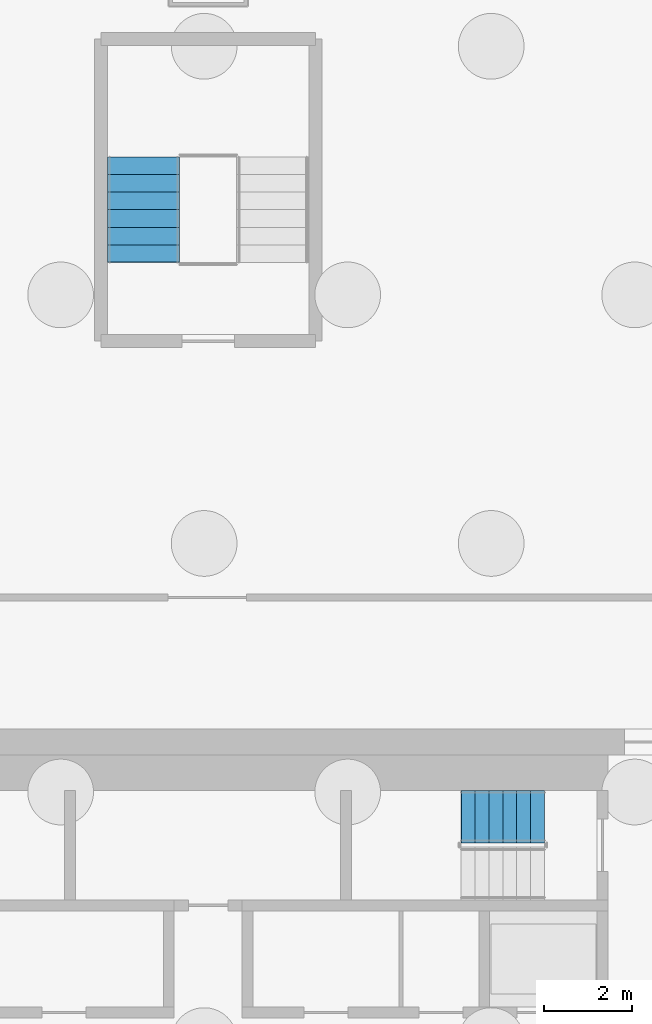
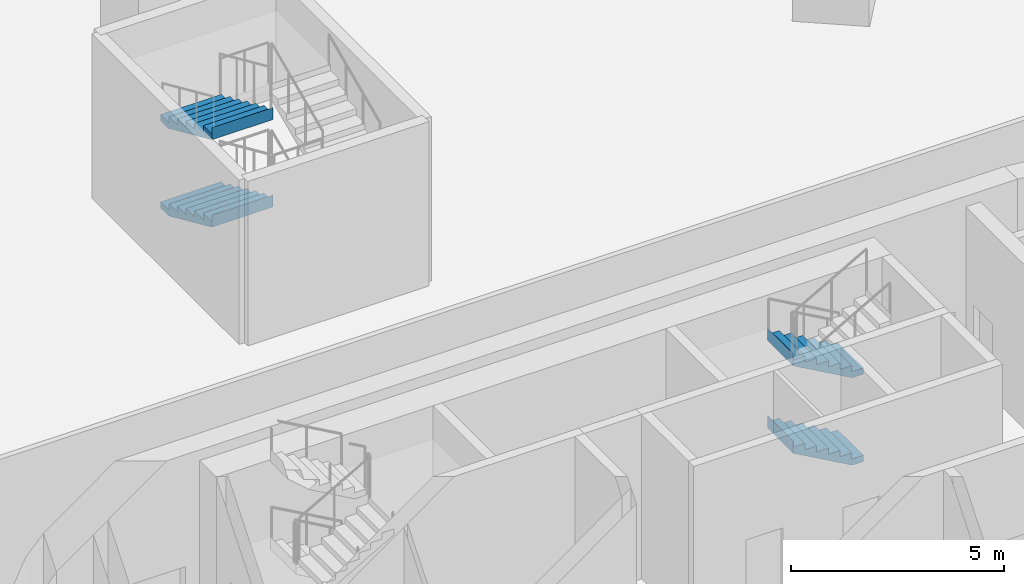
# One storey, part 15 of 19: 4 stair flights, 2 elements without a shape of their own.
"""IFC4 building model written with IfcOpenShell, lengths in metres."""

from ifc_helpers import new_model, si_unit, direction, frame, origin, place, context, subcontext, project, spatial, triangles, material, type_object, element, aggregate, save


model = new_model("IFC4")

# Units and contexts
model_context = context("Model", 3, precision=1e-05, world=origin(), true_north=direction((0.0, 1.0)))
body_context = subcontext(model_context, "Body", "Model", "MODEL_VIEW")
ifc_project = project(units=[si_unit("LENGTHUNIT", "METRE"), si_unit("AREAUNIT", "SQUARE_METRE"), si_unit("VOLUMEUNIT", "CUBIC_METRE"), si_unit("PLANEANGLEUNIT", "RADIAN"), si_unit("MASSUNIT", "GRAM", prefix="KILO")], contexts=[model_context])

# Site, building, storey
site_placement = place(None, origin())
site = spatial("IfcSite", under=ifc_project, at=site_placement, CompositionType="ELEMENT")
building_placement = place(site_placement, origin())
building = spatial("IfcBuilding", under=site, at=building_placement, Name="Sahrelin Media Tower", CompositionType="ELEMENT")
storey_placement = place(building_placement, frame((0.0, 0.0, -5.0)))
storey = spatial("IfcBuildingStorey", under=building, at=storey_placement, Name="B1", CompositionType="ELEMENT", Elevation=-5.0)

# Stair, stair flights
ifc_material = material(Name="Concrete C40/50", Category="concrete")
stair_type_1 = type_object("IfcStairType", Name="Exit stair 1200", PredefinedType="HALF_TURN_STAIR", material=ifc_material)
placement = place(storey_placement, origin())
stair_1 = element("IfcStair", 1, at=placement, inside=storey, type_object=stair_type_1, Name="B1 Exit stair ST3", PredefinedType="HALF_TURN_STAIR")
stair_flight_type_1 = type_object("IfcStairFlightType", Name="Stair flight 1200", PredefinedType="STRAIGHT", material=ifc_material)
stair_flight_1_placement = place(storey_placement, frame((7.675048828125, 6.0, 0.0), z_axis=(0.0, 0.0, 1.0), x_axis=(-1.0, 0.0, 0.0)))
stair_flight_1 = element("IfcStairFlight", 2, at=stair_flight_1_placement, type_object=stair_flight_type_1, Name="ST3 flight 1", NumberOfRisers=7, NumberOfTreads=6, PredefinedType="STRAIGHT", RiserHeight=0.178571429, TreadLength=0.316666667, context=body_context, shape_type="Tessellation", body=[
    triangles([(0.30517578125, 0.60009765625, 0.0), (0.30517578125, 0.300048828125, 0.0), (0.30517578125, 0.0, 0.0), (0.30517578125, -0.300048828125, 0.0), (0.30517578125, -0.60009765625, 0.0), (1.89990234375, 0.60009765625, 0.8994140625), (1.89990234375, 0.300048828125, 0.8994140625), (1.89990234375, 0.0, 0.8994140625), (1.89990234375, -0.300048828125, 0.8994140625), (1.89990234375, -0.60009765625, 0.8994140625), (1.89990234375, 0.60009765625, 1.25), (1.89990234375, 0.300048828125, 1.25), (1.89990234375, 0.0, 1.25), (1.89990234375, -0.300048828125, 1.25), (1.89990234375, -0.60009765625, 1.25), (1.89794921875, 0.60009765625, 1.25), (1.89794921875, 0.300048828125, 1.25), (1.89794921875, 0.0, 1.25), (1.89794921875, -0.300048828125, 1.25), (1.89794921875, -0.60009765625, 1.25), (1.89794921875, 0.60009765625, 1.071533203125), (1.89794921875, 0.300048828125, 1.071533203125), (1.89794921875, 0.0, 1.071533203125), (1.89794921875, -0.300048828125, 1.071533203125), (1.89794921875, -0.60009765625, 1.071533203125), (1.583251953125, 0.60009765625, 1.071533203125), (1.583251953125, 0.300048828125, 1.071533203125), (1.583251953125, 0.0, 1.071533203125), (1.583251953125, -0.300048828125, 1.071533203125), (1.583251953125, -0.60009765625, 1.071533203125), (1.583251953125, 0.60009765625, 0.892822265625), (1.583251953125, 0.300048828125, 0.892822265625), (1.583251953125, 0.0, 0.892822265625), (1.583251953125, -0.300048828125, 0.892822265625), (1.583251953125, -0.60009765625, 0.892822265625), (1.2666015625, 0.60009765625, 0.892822265625), (1.2666015625, 0.300048828125, 0.892822265625), (1.2666015625, 0.0, 0.892822265625), (1.2666015625, -0.300048828125, 0.892822265625), (1.2666015625, -0.60009765625, 0.892822265625), (1.2666015625, 0.60009765625, 0.71435546875), (1.2666015625, 0.300048828125, 0.71435546875), (1.2666015625, 0.0, 0.71435546875), (1.2666015625, -0.300048828125, 0.71435546875), (1.2666015625, -0.60009765625, 0.71435546875), (0.949951171875, 0.60009765625, 0.71435546875), (0.949951171875, 0.300048828125, 0.71435546875), (0.949951171875, 0.0, 0.71435546875), (0.949951171875, -0.300048828125, 0.71435546875), (0.949951171875, -0.60009765625, 0.71435546875), (0.949951171875, 0.60009765625, 0.53564453125), (0.949951171875, 0.300048828125, 0.53564453125), (0.949951171875, 0.0, 0.53564453125), (0.949951171875, -0.300048828125, 0.53564453125), (0.949951171875, -0.60009765625, 0.53564453125), (0.63330078125, 0.60009765625, 0.53564453125), (0.63330078125, 0.300048828125, 0.53564453125), (0.63330078125, 0.0, 0.53564453125), (0.63330078125, -0.300048828125, 0.53564453125), (0.63330078125, -0.60009765625, 0.53564453125), (0.63330078125, 0.60009765625, 0.357177734375), (0.63330078125, 0.300048828125, 0.357177734375), (0.63330078125, 0.0, 0.357177734375), (0.63330078125, -0.300048828125, 0.357177734375), (0.63330078125, -0.60009765625, 0.357177734375), (0.316650390625, 0.60009765625, 0.357177734375), (0.316650390625, 0.300048828125, 0.357177734375), (0.316650390625, 0.0, 0.357177734375), (0.316650390625, -0.300048828125, 0.357177734375), (0.316650390625, -0.60009765625, 0.357177734375), (0.316650390625, 0.60009765625, 0.178466796875), (0.316650390625, 0.300048828125, 0.178466796875), (0.316650390625, 0.0, 0.178466796875), (0.316650390625, -0.300048828125, 0.178466796875), (0.316650390625, -0.60009765625, 0.178466796875), (0.0, 0.60009765625, 0.178466796875), (0.0, 0.300048828125, 0.178466796875), (0.0, 0.0, 0.178466796875), (0.0, -0.300048828125, 0.178466796875), (0.0, -0.60009765625, 0.178466796875), (0.0, 0.60009765625, 0.0), (0.0, 0.300048828125, 0.0), (0.0, 0.0, 0.0), (0.0, -0.300048828125, 0.0), (0.0, -0.60009765625, 0.0)], [[1, 6, 7], [1, 7, 2], [2, 7, 8], [2, 8, 3], [3, 8, 9], [3, 9, 4], [4, 9, 10], [4, 10, 5], [6, 11, 12], [6, 12, 7], [7, 12, 13], [7, 13, 8], [8, 13, 14], [8, 14, 9], [9, 14, 15], [9, 15, 10], [11, 16, 17], [11, 17, 12], [12, 17, 18], [12, 18, 13], [13, 18, 19], [13, 19, 14], [14, 19, 20], [14, 20, 15], [16, 21, 22], [16, 22, 17], [17, 22, 23], [17, 23, 18], [18, 23, 24], [18, 24, 19], [19, 24, 25], [19, 25, 20], [21, 26, 27], [21, 27, 22], [22, 27, 28], [22, 28, 23], [23, 28, 29], [23, 29, 24], [24, 29, 30], [24, 30, 25], [26, 31, 32], [26, 32, 27], [27, 32, 33], [27, 33, 28], [28, 33, 34], [28, 34, 29], [29, 34, 35], [29, 35, 30], [31, 36, 37], [31, 37, 32], [32, 37, 38], [32, 38, 33], [33, 38, 39], [33, 39, 34], [34, 39, 40], [34, 40, 35], [36, 41, 42], [36, 42, 37], [37, 42, 43], [37, 43, 38], [38, 43, 44], [38, 44, 39], [39, 44, 45], [39, 45, 40], [41, 46, 47], [41, 47, 42], [42, 47, 48], [42, 48, 43], [43, 48, 49], [43, 49, 44], [44, 49, 50], [44, 50, 45], [46, 51, 52], [46, 52, 47], [47, 52, 53], [47, 53, 48], [48, 53, 54], [48, 54, 49], [49, 54, 55], [49, 55, 50], [51, 56, 57], [51, 57, 52], [52, 57, 58], [52, 58, 53], [53, 58, 59], [53, 59, 54], [54, 59, 60], [54, 60, 55], [56, 61, 62], [56, 62, 57], [57, 62, 63], [57, 63, 58], [58, 63, 64], [58, 64, 59], [59, 64, 65], [59, 65, 60], [61, 66, 67], [61, 67, 62], [62, 67, 68], [62, 68, 63], [63, 68, 69], [63, 69, 64], [64, 69, 70], [64, 70, 65], [66, 71, 72], [66, 72, 67], [67, 72, 73], [67, 73, 68], [68, 73, 74], [68, 74, 69], [69, 74, 75], [69, 75, 70], [71, 76, 77], [71, 77, 72], [72, 77, 78], [72, 78, 73], [73, 78, 79], [73, 79, 74], [74, 79, 80], [74, 80, 75], [76, 81, 82], [76, 82, 77], [77, 82, 83], [77, 83, 78], [78, 83, 84], [78, 84, 79], [79, 84, 85], [79, 85, 80], [81, 1, 2], [81, 2, 82], [82, 2, 3], [82, 3, 83], [83, 3, 4], [83, 4, 84], [84, 4, 5], [84, 5, 85], [5, 80, 85], [1, 81, 76], [75, 65, 70], [71, 66, 61], [65, 55, 60], [61, 56, 51], [55, 45, 50], [51, 46, 41], [45, 35, 40], [41, 36, 31], [10, 25, 30], [6, 26, 21], [25, 15, 20], [21, 16, 11], [5, 75, 80], [1, 76, 71], [25, 10, 15], [21, 11, 6], [65, 75, 5], [61, 1, 71], [30, 35, 10], [26, 6, 31], [55, 65, 5], [51, 1, 61], [45, 10, 35], [41, 31, 6], [5, 10, 55], [1, 51, 6], [55, 10, 45], [51, 41, 6]], closed=True),
])
stair_flight_2_placement = place(storey_placement, frame((7.675048828125, 6.0, 2.5), z_axis=(0.0, 0.0, 1.0), x_axis=(-1.0, 0.0, 0.0)))
stair_flight_2 = element("IfcStairFlight", 3, at=stair_flight_2_placement, type_object=stair_flight_type_1, Name="ST3 flight 3", NumberOfRisers=7, NumberOfTreads=6, PredefinedType="STRAIGHT", RiserHeight=0.178571429, TreadLength=0.316666667, context=body_context, shape_type="Tessellation", body=[
    triangles([(0.30517578125, 0.60009765625, 0.0), (0.30517578125, 0.300048828125, 0.0), (0.30517578125, 0.0, 0.0), (0.30517578125, -0.300048828125, 0.0), (0.30517578125, -0.60009765625, 0.0), (1.89990234375, 0.60009765625, 0.8994140625), (1.89990234375, 0.300048828125, 0.8994140625), (1.89990234375, 0.0, 0.8994140625), (1.89990234375, -0.300048828125, 0.8994140625), (1.89990234375, -0.60009765625, 0.8994140625), (1.89990234375, 0.60009765625, 1.25), (1.89990234375, 0.300048828125, 1.25), (1.89990234375, 0.0, 1.25), (1.89990234375, -0.300048828125, 1.25), (1.89990234375, -0.60009765625, 1.25), (1.89794921875, 0.60009765625, 1.25), (1.89794921875, 0.300048828125, 1.25), (1.89794921875, 0.0, 1.25), (1.89794921875, -0.300048828125, 1.25), (1.89794921875, -0.60009765625, 1.25), (1.89794921875, 0.60009765625, 1.071533203125), (1.89794921875, 0.300048828125, 1.071533203125), (1.89794921875, 0.0, 1.071533203125), (1.89794921875, -0.300048828125, 1.071533203125), (1.89794921875, -0.60009765625, 1.071533203125), (1.583251953125, 0.60009765625, 1.071533203125), (1.583251953125, 0.300048828125, 1.071533203125), (1.583251953125, 0.0, 1.071533203125), (1.583251953125, -0.300048828125, 1.071533203125), (1.583251953125, -0.60009765625, 1.071533203125), (1.583251953125, 0.60009765625, 0.892822265625), (1.583251953125, 0.300048828125, 0.892822265625), (1.583251953125, 0.0, 0.892822265625), (1.583251953125, -0.300048828125, 0.892822265625), (1.583251953125, -0.60009765625, 0.892822265625), (1.2666015625, 0.60009765625, 0.892822265625), (1.2666015625, 0.300048828125, 0.892822265625), (1.2666015625, 0.0, 0.892822265625), (1.2666015625, -0.300048828125, 0.892822265625), (1.2666015625, -0.60009765625, 0.892822265625), (1.2666015625, 0.60009765625, 0.71435546875), (1.2666015625, 0.300048828125, 0.71435546875), (1.2666015625, 0.0, 0.71435546875), (1.2666015625, -0.300048828125, 0.71435546875), (1.2666015625, -0.60009765625, 0.71435546875), (0.949951171875, 0.60009765625, 0.71435546875), (0.949951171875, 0.300048828125, 0.71435546875), (0.949951171875, 0.0, 0.71435546875), (0.949951171875, -0.300048828125, 0.71435546875), (0.949951171875, -0.60009765625, 0.71435546875), (0.949951171875, 0.60009765625, 0.53564453125), (0.949951171875, 0.300048828125, 0.53564453125), (0.949951171875, 0.0, 0.53564453125), (0.949951171875, -0.300048828125, 0.53564453125), (0.949951171875, -0.60009765625, 0.53564453125), (0.63330078125, 0.60009765625, 0.53564453125), (0.63330078125, 0.300048828125, 0.53564453125), (0.63330078125, 0.0, 0.53564453125), (0.63330078125, -0.300048828125, 0.53564453125), (0.63330078125, -0.60009765625, 0.53564453125), (0.63330078125, 0.60009765625, 0.357177734375), (0.63330078125, 0.300048828125, 0.357177734375), (0.63330078125, 0.0, 0.357177734375), (0.63330078125, -0.300048828125, 0.357177734375), (0.63330078125, -0.60009765625, 0.357177734375), (0.316650390625, 0.60009765625, 0.357177734375), (0.316650390625, 0.300048828125, 0.357177734375), (0.316650390625, 0.0, 0.357177734375), (0.316650390625, -0.300048828125, 0.357177734375), (0.316650390625, -0.60009765625, 0.357177734375), (0.316650390625, 0.60009765625, 0.178466796875), (0.316650390625, 0.300048828125, 0.178466796875), (0.316650390625, 0.0, 0.178466796875), (0.316650390625, -0.300048828125, 0.178466796875), (0.316650390625, -0.60009765625, 0.178466796875), (0.0, 0.60009765625, 0.178466796875), (0.0, 0.300048828125, 0.178466796875), (0.0, 0.0, 0.178466796875), (0.0, -0.300048828125, 0.178466796875), (0.0, -0.60009765625, 0.178466796875), (0.0, 0.60009765625, 0.0), (0.0, 0.300048828125, 0.0), (0.0, 0.0, 0.0), (0.0, -0.300048828125, 0.0), (0.0, -0.60009765625, 0.0)], [[1, 6, 7], [1, 7, 2], [2, 7, 8], [2, 8, 3], [3, 8, 9], [3, 9, 4], [4, 9, 10], [4, 10, 5], [6, 11, 12], [6, 12, 7], [7, 12, 13], [7, 13, 8], [8, 13, 14], [8, 14, 9], [9, 14, 15], [9, 15, 10], [11, 16, 17], [11, 17, 12], [12, 17, 18], [12, 18, 13], [13, 18, 19], [13, 19, 14], [14, 19, 20], [14, 20, 15], [16, 21, 22], [16, 22, 17], [17, 22, 23], [17, 23, 18], [18, 23, 24], [18, 24, 19], [19, 24, 25], [19, 25, 20], [21, 26, 27], [21, 27, 22], [22, 27, 28], [22, 28, 23], [23, 28, 29], [23, 29, 24], [24, 29, 30], [24, 30, 25], [26, 31, 32], [26, 32, 27], [27, 32, 33], [27, 33, 28], [28, 33, 34], [28, 34, 29], [29, 34, 35], [29, 35, 30], [31, 36, 37], [31, 37, 32], [32, 37, 38], [32, 38, 33], [33, 38, 39], [33, 39, 34], [34, 39, 40], [34, 40, 35], [36, 41, 42], [36, 42, 37], [37, 42, 43], [37, 43, 38], [38, 43, 44], [38, 44, 39], [39, 44, 45], [39, 45, 40], [41, 46, 47], [41, 47, 42], [42, 47, 48], [42, 48, 43], [43, 48, 49], [43, 49, 44], [44, 49, 50], [44, 50, 45], [46, 51, 52], [46, 52, 47], [47, 52, 53], [47, 53, 48], [48, 53, 54], [48, 54, 49], [49, 54, 55], [49, 55, 50], [51, 56, 57], [51, 57, 52], [52, 57, 58], [52, 58, 53], [53, 58, 59], [53, 59, 54], [54, 59, 60], [54, 60, 55], [56, 61, 62], [56, 62, 57], [57, 62, 63], [57, 63, 58], [58, 63, 64], [58, 64, 59], [59, 64, 65], [59, 65, 60], [61, 66, 67], [61, 67, 62], [62, 67, 68], [62, 68, 63], [63, 68, 69], [63, 69, 64], [64, 69, 70], [64, 70, 65], [66, 71, 72], [66, 72, 67], [67, 72, 73], [67, 73, 68], [68, 73, 74], [68, 74, 69], [69, 74, 75], [69, 75, 70], [71, 76, 77], [71, 77, 72], [72, 77, 78], [72, 78, 73], [73, 78, 79], [73, 79, 74], [74, 79, 80], [74, 80, 75], [76, 81, 82], [76, 82, 77], [77, 82, 83], [77, 83, 78], [78, 83, 84], [78, 84, 79], [79, 84, 85], [79, 85, 80], [81, 1, 2], [81, 2, 82], [82, 2, 3], [82, 3, 83], [83, 3, 4], [83, 4, 84], [84, 4, 5], [84, 5, 85], [5, 80, 85], [1, 81, 76], [75, 65, 70], [71, 66, 61], [65, 55, 60], [61, 56, 51], [55, 45, 50], [51, 46, 41], [45, 35, 40], [41, 36, 31], [10, 25, 30], [6, 26, 21], [25, 15, 20], [21, 16, 11], [5, 75, 80], [1, 76, 71], [25, 10, 15], [21, 11, 6], [65, 75, 5], [61, 1, 71], [30, 35, 10], [26, 6, 31], [55, 65, 5], [51, 1, 61], [45, 10, 35], [41, 31, 6], [5, 10, 55], [1, 51, 6], [55, 10, 45], [51, 41, 6]], closed=True),
])
aggregate(stair_1, [stair_flight_1, stair_flight_2])

stair_type_2 = type_object("IfcStairType", Name="Podium stair 1650", PredefinedType="HALF_TURN_STAIR", material=ifc_material)
stair_2 = element("IfcStair", 4, at=placement, inside=storey, type_object=stair_type_2, Name="B1 Podium stair BS1", PredefinedType="HALF_TURN_STAIR")
stair_flight_type_2 = type_object("IfcStairFlightType", Name="Stair flight 1650", PredefinedType="STRAIGHT", material=ifc_material)
stair_flight_3_placement = place(storey_placement, frame((-1.47509765625, 21.050048828125, 1.25), z_axis=(0.0, 0.0, 1.0), x_axis=(0.0, -1.0, 0.0)))
stair_flight_3 = element("IfcStairFlight", 5, at=stair_flight_3_placement, type_object=stair_flight_type_2, Name="BS1 flight 2", NumberOfRisers=7, NumberOfTreads=6, PredefinedType="STRAIGHT", RiserHeight=0.178571429, TreadLength=0.4, context=body_context, shape_type="Tessellation", body=[
    triangles([(0.36767578125, 0.824951171875, 0.0), (0.36767578125, 0.494873046875, 0.0), (0.36767578125, 0.1650390625, 0.0), (0.36767578125, -0.1650390625, 0.0), (0.36767578125, -0.494873046875, 0.0), (0.36767578125, -0.824951171875, 0.0), (2.39990234375, 0.824951171875, 0.9072265625), (2.39990234375, 0.494873046875, 0.9072265625), (2.39990234375, 0.1650390625, 0.9072265625), (2.39990234375, -0.1650390625, 0.9072265625), (2.39990234375, -0.494873046875, 0.9072265625), (2.39990234375, -0.824951171875, 0.9072265625), (2.39990234375, 0.824951171875, 1.25), (2.39990234375, 0.494873046875, 1.25), (2.39990234375, 0.1650390625, 1.25), (2.39990234375, -0.1650390625, 1.25), (2.39990234375, -0.494873046875, 1.25), (2.39990234375, -0.824951171875, 1.25), (2.39794921875, 0.824951171875, 1.25), (2.39794921875, 0.494873046875, 1.25), (2.39794921875, 0.1650390625, 1.25), (2.39794921875, -0.1650390625, 1.25), (2.39794921875, -0.494873046875, 1.25), (2.39794921875, -0.824951171875, 1.25), (2.39794921875, 0.824951171875, 1.071533203125), (2.39794921875, 0.494873046875, 1.071533203125), (2.39794921875, 0.1650390625, 1.071533203125), (2.39794921875, -0.1650390625, 1.071533203125), (2.39794921875, -0.494873046875, 1.071533203125), (2.39794921875, -0.824951171875, 1.071533203125), (2.0, 0.824951171875, 1.071533203125), (2.0, 0.494873046875, 1.071533203125), (2.0, 0.1650390625, 1.071533203125), (2.0, -0.1650390625, 1.071533203125), (2.0, -0.494873046875, 1.071533203125), (2.0, -0.824951171875, 1.071533203125), (2.0, 0.824951171875, 0.892822265625), (2.0, 0.494873046875, 0.892822265625), (2.0, 0.1650390625, 0.892822265625), (2.0, -0.1650390625, 0.892822265625), (2.0, -0.494873046875, 0.892822265625), (2.0, -0.824951171875, 0.892822265625), (1.60009765625, 0.824951171875, 0.892822265625), (1.60009765625, 0.494873046875, 0.892822265625), (1.60009765625, 0.1650390625, 0.892822265625), (1.60009765625, -0.1650390625, 0.892822265625), (1.60009765625, -0.494873046875, 0.892822265625), (1.60009765625, -0.824951171875, 0.892822265625), (1.60009765625, 0.824951171875, 0.71435546875), (1.60009765625, 0.494873046875, 0.71435546875), (1.60009765625, 0.1650390625, 0.71435546875), (1.60009765625, -0.1650390625, 0.71435546875), (1.60009765625, -0.494873046875, 0.71435546875), (1.60009765625, -0.824951171875, 0.71435546875), (1.199951171875, 0.824951171875, 0.71435546875), (1.199951171875, 0.494873046875, 0.71435546875), (1.199951171875, 0.1650390625, 0.71435546875), (1.199951171875, -0.1650390625, 0.71435546875), (1.199951171875, -0.494873046875, 0.71435546875), (1.199951171875, -0.824951171875, 0.71435546875), (1.199951171875, 0.824951171875, 0.53564453125), (1.199951171875, 0.494873046875, 0.53564453125), (1.199951171875, 0.1650390625, 0.53564453125), (1.199951171875, -0.1650390625, 0.53564453125), (1.199951171875, -0.494873046875, 0.53564453125), (1.199951171875, -0.824951171875, 0.53564453125), (0.800048828125, 0.824951171875, 0.53564453125), (0.800048828125, 0.494873046875, 0.53564453125), (0.800048828125, 0.1650390625, 0.53564453125), (0.800048828125, -0.1650390625, 0.53564453125), (0.800048828125, -0.494873046875, 0.53564453125), (0.800048828125, -0.824951171875, 0.53564453125), (0.800048828125, 0.824951171875, 0.357177734375), (0.800048828125, 0.494873046875, 0.357177734375), (0.800048828125, 0.1650390625, 0.357177734375), (0.800048828125, -0.1650390625, 0.357177734375), (0.800048828125, -0.494873046875, 0.357177734375), (0.800048828125, -0.824951171875, 0.357177734375), (0.39990234375, 0.824951171875, 0.357177734375), (0.39990234375, 0.494873046875, 0.357177734375), (0.39990234375, 0.1650390625, 0.357177734375), (0.39990234375, -0.1650390625, 0.357177734375), (0.39990234375, -0.494873046875, 0.357177734375), (0.39990234375, -0.824951171875, 0.357177734375), (0.39990234375, 0.824951171875, 0.178466796875), (0.39990234375, 0.494873046875, 0.178466796875), (0.39990234375, 0.1650390625, 0.178466796875), (0.39990234375, -0.1650390625, 0.178466796875), (0.39990234375, -0.494873046875, 0.178466796875), (0.39990234375, -0.824951171875, 0.178466796875), (0.0, 0.824951171875, 0.178466796875), (0.0, 0.494873046875, 0.178466796875), (0.0, 0.1650390625, 0.178466796875), (0.0, -0.1650390625, 0.178466796875), (0.0, -0.494873046875, 0.178466796875), (0.0, -0.824951171875, 0.178466796875), (0.0, 0.824951171875, 0.0), (0.0, 0.494873046875, 0.0), (0.0, 0.1650390625, 0.0), (0.0, -0.1650390625, 0.0), (0.0, -0.494873046875, 0.0), (0.0, -0.824951171875, 0.0)], [[1, 7, 8], [1, 8, 2], [2, 8, 9], [2, 9, 3], [3, 9, 10], [3, 10, 4], [4, 10, 11], [4, 11, 5], [5, 11, 12], [5, 12, 6], [7, 13, 14], [7, 14, 8], [8, 14, 15], [8, 15, 9], [9, 15, 16], [9, 16, 10], [10, 16, 17], [10, 17, 11], [11, 17, 18], [11, 18, 12], [13, 19, 20], [13, 20, 14], [14, 20, 21], [14, 21, 15], [15, 21, 22], [15, 22, 16], [16, 22, 23], [16, 23, 17], [17, 23, 24], [17, 24, 18], [19, 25, 26], [19, 26, 20], [20, 26, 27], [20, 27, 21], [21, 27, 28], [21, 28, 22], [22, 28, 29], [22, 29, 23], [23, 29, 30], [23, 30, 24], [25, 31, 32], [25, 32, 26], [26, 32, 33], [26, 33, 27], [27, 33, 34], [27, 34, 28], [28, 34, 35], [28, 35, 29], [29, 35, 36], [29, 36, 30], [31, 37, 38], [31, 38, 32], [32, 38, 39], [32, 39, 33], [33, 39, 40], [33, 40, 34], [34, 40, 41], [34, 41, 35], [35, 41, 42], [35, 42, 36], [37, 43, 44], [37, 44, 38], [38, 44, 45], [38, 45, 39], [39, 45, 46], [39, 46, 40], [40, 46, 47], [40, 47, 41], [41, 47, 48], [41, 48, 42], [43, 49, 50], [43, 50, 44], [44, 50, 51], [44, 51, 45], [45, 51, 52], [45, 52, 46], [46, 52, 53], [46, 53, 47], [47, 53, 54], [47, 54, 48], [49, 55, 56], [49, 56, 50], [50, 56, 57], [50, 57, 51], [51, 57, 58], [51, 58, 52], [52, 58, 59], [52, 59, 53], [53, 59, 60], [53, 60, 54], [55, 61, 62], [55, 62, 56], [56, 62, 63], [56, 63, 57], [57, 63, 64], [57, 64, 58], [58, 64, 65], [58, 65, 59], [59, 65, 66], [59, 66, 60], [61, 67, 68], [61, 68, 62], [62, 68, 69], [62, 69, 63], [63, 69, 70], [63, 70, 64], [64, 70, 71], [64, 71, 65], [65, 71, 72], [65, 72, 66], [67, 73, 74], [67, 74, 68], [68, 74, 75], [68, 75, 69], [69, 75, 76], [69, 76, 70], [70, 76, 77], [70, 77, 71], [71, 77, 78], [71, 78, 72], [73, 79, 80], [73, 80, 74], [74, 80, 81], [74, 81, 75], [75, 81, 82], [75, 82, 76], [76, 82, 83], [76, 83, 77], [77, 83, 84], [77, 84, 78], [79, 85, 86], [79, 86, 80], [80, 86, 87], [80, 87, 81], [81, 87, 88], [81, 88, 82], [82, 88, 89], [82, 89, 83], [83, 89, 90], [83, 90, 84], [85, 91, 92], [85, 92, 86], [86, 92, 93], [86, 93, 87], [87, 93, 94], [87, 94, 88], [88, 94, 95], [88, 95, 89], [89, 95, 96], [89, 96, 90], [91, 97, 98], [91, 98, 92], [92, 98, 99], [92, 99, 93], [93, 99, 100], [93, 100, 94], [94, 100, 101], [94, 101, 95], [95, 101, 102], [95, 102, 96], [97, 1, 2], [97, 2, 98], [98, 2, 3], [98, 3, 99], [99, 3, 4], [99, 4, 100], [100, 4, 5], [100, 5, 101], [101, 5, 6], [101, 6, 102], [6, 96, 102], [1, 97, 91], [90, 78, 84], [85, 79, 73], [78, 66, 72], [73, 67, 61], [66, 54, 60], [61, 55, 49], [54, 42, 48], [49, 43, 37], [12, 30, 36], [7, 31, 25], [30, 18, 24], [25, 19, 13], [6, 90, 96], [1, 91, 85], [6, 12, 66], [1, 61, 7], [30, 12, 18], [25, 13, 7], [78, 90, 6], [73, 1, 85], [36, 42, 12], [31, 7, 37], [66, 78, 6], [61, 1, 73], [54, 12, 42], [49, 37, 7], [12, 54, 66], [7, 61, 49]], closed=True),
])
stair_flight_4_placement = place(storey_placement, frame((-1.47509765625, 21.050048828125, 3.75), z_axis=(0.0, 0.0, 1.0), x_axis=(0.0, -1.0, 0.0)))
stair_flight_4 = element("IfcStairFlight", 6, at=stair_flight_4_placement, type_object=stair_flight_type_2, Name="BS1 flight 4", NumberOfRisers=7, NumberOfTreads=6, PredefinedType="STRAIGHT", RiserHeight=0.178571429, TreadLength=0.4, context=body_context, shape_type="Tessellation", body=[
    triangles([(0.36767578125, 0.824951171875, 0.0), (0.36767578125, 0.494873046875, 0.0), (0.36767578125, 0.1650390625, 0.0), (0.36767578125, -0.1650390625, 0.0), (0.36767578125, -0.494873046875, 0.0), (0.36767578125, -0.824951171875, 0.0), (2.39990234375, 0.824951171875, 0.9072265625), (2.39990234375, 0.494873046875, 0.9072265625), (2.39990234375, 0.1650390625, 0.9072265625), (2.39990234375, -0.1650390625, 0.9072265625), (2.39990234375, -0.494873046875, 0.9072265625), (2.39990234375, -0.824951171875, 0.9072265625), (2.39990234375, 0.824951171875, 1.25), (2.39990234375, 0.494873046875, 1.25), (2.39990234375, 0.1650390625, 1.25), (2.39990234375, -0.1650390625, 1.25), (2.39990234375, -0.494873046875, 1.25), (2.39990234375, -0.824951171875, 1.25), (2.39794921875, 0.824951171875, 1.25), (2.39794921875, 0.494873046875, 1.25), (2.39794921875, 0.1650390625, 1.25), (2.39794921875, -0.1650390625, 1.25), (2.39794921875, -0.494873046875, 1.25), (2.39794921875, -0.824951171875, 1.25), (2.39794921875, 0.824951171875, 1.071533203125), (2.39794921875, 0.494873046875, 1.071533203125), (2.39794921875, 0.1650390625, 1.071533203125), (2.39794921875, -0.1650390625, 1.071533203125), (2.39794921875, -0.494873046875, 1.071533203125), (2.39794921875, -0.824951171875, 1.071533203125), (2.0, 0.824951171875, 1.071533203125), (2.0, 0.494873046875, 1.071533203125), (2.0, 0.1650390625, 1.071533203125), (2.0, -0.1650390625, 1.071533203125), (2.0, -0.494873046875, 1.071533203125), (2.0, -0.824951171875, 1.071533203125), (2.0, 0.824951171875, 0.892822265625), (2.0, 0.494873046875, 0.892822265625), (2.0, 0.1650390625, 0.892822265625), (2.0, -0.1650390625, 0.892822265625), (2.0, -0.494873046875, 0.892822265625), (2.0, -0.824951171875, 0.892822265625), (1.60009765625, 0.824951171875, 0.892822265625), (1.60009765625, 0.494873046875, 0.892822265625), (1.60009765625, 0.1650390625, 0.892822265625), (1.60009765625, -0.1650390625, 0.892822265625), (1.60009765625, -0.494873046875, 0.892822265625), (1.60009765625, -0.824951171875, 0.892822265625), (1.60009765625, 0.824951171875, 0.71435546875), (1.60009765625, 0.494873046875, 0.71435546875), (1.60009765625, 0.1650390625, 0.71435546875), (1.60009765625, -0.1650390625, 0.71435546875), (1.60009765625, -0.494873046875, 0.71435546875), (1.60009765625, -0.824951171875, 0.71435546875), (1.199951171875, 0.824951171875, 0.71435546875), (1.199951171875, 0.494873046875, 0.71435546875), (1.199951171875, 0.1650390625, 0.71435546875), (1.199951171875, -0.1650390625, 0.71435546875), (1.199951171875, -0.494873046875, 0.71435546875), (1.199951171875, -0.824951171875, 0.71435546875), (1.199951171875, 0.824951171875, 0.53564453125), (1.199951171875, 0.494873046875, 0.53564453125), (1.199951171875, 0.1650390625, 0.53564453125), (1.199951171875, -0.1650390625, 0.53564453125), (1.199951171875, -0.494873046875, 0.53564453125), (1.199951171875, -0.824951171875, 0.53564453125), (0.800048828125, 0.824951171875, 0.53564453125), (0.800048828125, 0.494873046875, 0.53564453125), (0.800048828125, 0.1650390625, 0.53564453125), (0.800048828125, -0.1650390625, 0.53564453125), (0.800048828125, -0.494873046875, 0.53564453125), (0.800048828125, -0.824951171875, 0.53564453125), (0.800048828125, 0.824951171875, 0.357177734375), (0.800048828125, 0.494873046875, 0.357177734375), (0.800048828125, 0.1650390625, 0.357177734375), (0.800048828125, -0.1650390625, 0.357177734375), (0.800048828125, -0.494873046875, 0.357177734375), (0.800048828125, -0.824951171875, 0.357177734375), (0.39990234375, 0.824951171875, 0.357177734375), (0.39990234375, 0.494873046875, 0.357177734375), (0.39990234375, 0.1650390625, 0.357177734375), (0.39990234375, -0.1650390625, 0.357177734375), (0.39990234375, -0.494873046875, 0.357177734375), (0.39990234375, -0.824951171875, 0.357177734375), (0.39990234375, 0.824951171875, 0.178466796875), (0.39990234375, 0.494873046875, 0.178466796875), (0.39990234375, 0.1650390625, 0.178466796875), (0.39990234375, -0.1650390625, 0.178466796875), (0.39990234375, -0.494873046875, 0.178466796875), (0.39990234375, -0.824951171875, 0.178466796875), (0.0, 0.824951171875, 0.178466796875), (0.0, 0.494873046875, 0.178466796875), (0.0, 0.1650390625, 0.178466796875), (0.0, -0.1650390625, 0.178466796875), (0.0, -0.494873046875, 0.178466796875), (0.0, -0.824951171875, 0.178466796875), (0.0, 0.824951171875, 0.0), (0.0, 0.494873046875, 0.0), (0.0, 0.1650390625, 0.0), (0.0, -0.1650390625, 0.0), (0.0, -0.494873046875, 0.0), (0.0, -0.824951171875, 0.0)], [[1, 7, 8], [1, 8, 2], [2, 8, 9], [2, 9, 3], [3, 9, 10], [3, 10, 4], [4, 10, 11], [4, 11, 5], [5, 11, 12], [5, 12, 6], [7, 13, 14], [7, 14, 8], [8, 14, 15], [8, 15, 9], [9, 15, 16], [9, 16, 10], [10, 16, 17], [10, 17, 11], [11, 17, 18], [11, 18, 12], [13, 19, 20], [13, 20, 14], [14, 20, 21], [14, 21, 15], [15, 21, 22], [15, 22, 16], [16, 22, 23], [16, 23, 17], [17, 23, 24], [17, 24, 18], [19, 25, 26], [19, 26, 20], [20, 26, 27], [20, 27, 21], [21, 27, 28], [21, 28, 22], [22, 28, 29], [22, 29, 23], [23, 29, 30], [23, 30, 24], [25, 31, 32], [25, 32, 26], [26, 32, 33], [26, 33, 27], [27, 33, 34], [27, 34, 28], [28, 34, 35], [28, 35, 29], [29, 35, 36], [29, 36, 30], [31, 37, 38], [31, 38, 32], [32, 38, 39], [32, 39, 33], [33, 39, 40], [33, 40, 34], [34, 40, 41], [34, 41, 35], [35, 41, 42], [35, 42, 36], [37, 43, 44], [37, 44, 38], [38, 44, 45], [38, 45, 39], [39, 45, 46], [39, 46, 40], [40, 46, 47], [40, 47, 41], [41, 47, 48], [41, 48, 42], [43, 49, 50], [43, 50, 44], [44, 50, 51], [44, 51, 45], [45, 51, 52], [45, 52, 46], [46, 52, 53], [46, 53, 47], [47, 53, 54], [47, 54, 48], [49, 55, 56], [49, 56, 50], [50, 56, 57], [50, 57, 51], [51, 57, 58], [51, 58, 52], [52, 58, 59], [52, 59, 53], [53, 59, 60], [53, 60, 54], [55, 61, 62], [55, 62, 56], [56, 62, 63], [56, 63, 57], [57, 63, 64], [57, 64, 58], [58, 64, 65], [58, 65, 59], [59, 65, 66], [59, 66, 60], [61, 67, 68], [61, 68, 62], [62, 68, 69], [62, 69, 63], [63, 69, 70], [63, 70, 64], [64, 70, 71], [64, 71, 65], [65, 71, 72], [65, 72, 66], [67, 73, 74], [67, 74, 68], [68, 74, 75], [68, 75, 69], [69, 75, 76], [69, 76, 70], [70, 76, 77], [70, 77, 71], [71, 77, 78], [71, 78, 72], [73, 79, 80], [73, 80, 74], [74, 80, 81], [74, 81, 75], [75, 81, 82], [75, 82, 76], [76, 82, 83], [76, 83, 77], [77, 83, 84], [77, 84, 78], [79, 85, 86], [79, 86, 80], [80, 86, 87], [80, 87, 81], [81, 87, 88], [81, 88, 82], [82, 88, 89], [82, 89, 83], [83, 89, 90], [83, 90, 84], [85, 91, 92], [85, 92, 86], [86, 92, 93], [86, 93, 87], [87, 93, 94], [87, 94, 88], [88, 94, 95], [88, 95, 89], [89, 95, 96], [89, 96, 90], [91, 97, 98], [91, 98, 92], [92, 98, 99], [92, 99, 93], [93, 99, 100], [93, 100, 94], [94, 100, 101], [94, 101, 95], [95, 101, 102], [95, 102, 96], [97, 1, 2], [97, 2, 98], [98, 2, 3], [98, 3, 99], [99, 3, 4], [99, 4, 100], [100, 4, 5], [100, 5, 101], [101, 5, 6], [101, 6, 102], [6, 96, 102], [1, 97, 91], [90, 78, 84], [85, 79, 73], [78, 66, 72], [73, 67, 61], [66, 54, 60], [61, 55, 49], [54, 42, 48], [49, 43, 37], [12, 30, 36], [7, 31, 25], [30, 18, 24], [25, 19, 13], [6, 90, 96], [1, 91, 85], [6, 12, 66], [1, 61, 7], [30, 12, 18], [25, 13, 7], [78, 90, 6], [73, 1, 85], [36, 42, 12], [31, 7, 37], [66, 78, 6], [61, 1, 73], [54, 12, 42], [49, 37, 7], [12, 54, 66], [7, 61, 49]], closed=True),
])
aggregate(stair_2, [stair_flight_3, stair_flight_4])

save(model, "model.ifc")
